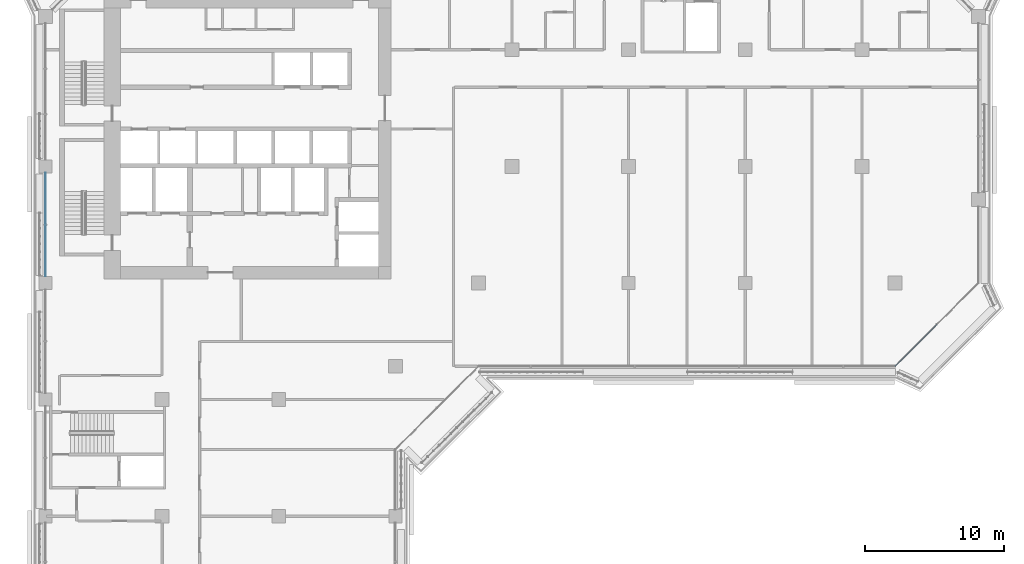
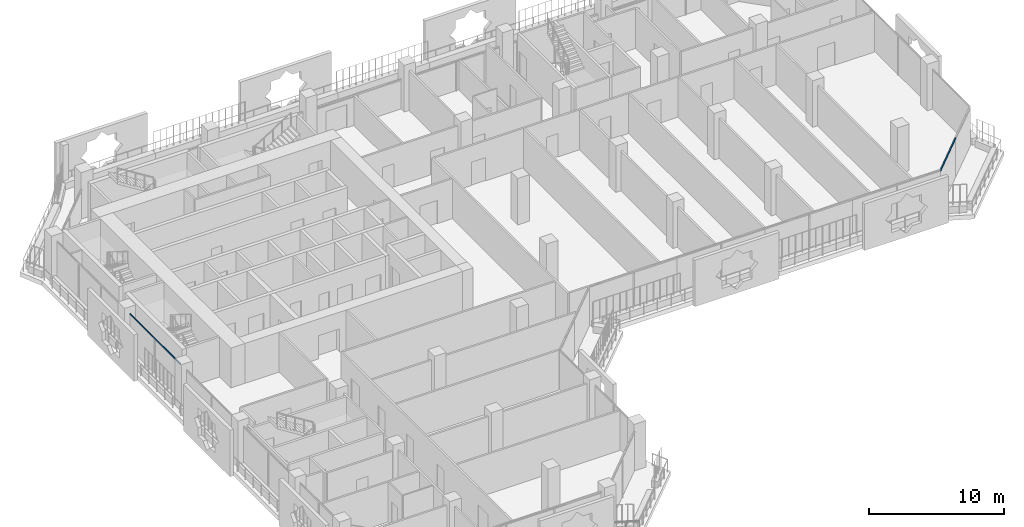
# One storey, part 4 of 22: 2 members, 2 elements without a shape of their own.
"""IFC4 building model written with IfcOpenShell, lengths in metres."""

from ifc_helpers import new_model, si_unit, direction, frame, origin, origin_2d, place, context, subcontext, project, spatial, rectangle, extrude, material, layer, layer_set, material_profile, profile_set, type_object, element, aggregate, save


model = new_model("IFC4")

# Units and contexts
model_context = context("Model", 3, precision=1e-05, world=origin(), true_north=direction((0.0, 1.0)))
body_context = subcontext(model_context, "Body", "Model", "MODEL_VIEW")
ifc_project = project(units=[si_unit("LENGTHUNIT", "METRE"), si_unit("AREAUNIT", "SQUARE_METRE"), si_unit("VOLUMEUNIT", "CUBIC_METRE"), si_unit("PLANEANGLEUNIT", "RADIAN"), si_unit("MASSUNIT", "GRAM", prefix="KILO")], contexts=[model_context])

# Site, building, storey
site_placement = place(None, origin())
site = spatial("IfcSite", under=ifc_project, at=site_placement, CompositionType="ELEMENT")
building_placement = place(site_placement, origin())
building = spatial("IfcBuilding", under=site, at=building_placement, Name="Kawkab Arch Medical Tower", CompositionType="ELEMENT")
storey_placement = place(building_placement, frame((0.0, 0.0, 179.39990234375)))
storey = spatial("IfcBuildingStorey", under=building, at=storey_placement, Name="L41", CompositionType="ELEMENT", Elevation=179.39990234375)

# Curtain wall, member
ifc_material_1 = material(Name="Bronze anodised aluminium curtain wall frame", Category="aluminium")
ifc_layer_1 = layer(ifc_material_1, 0.159912109375)
ifc_layer_set_1 = layer_set([ifc_layer_1], Name="Bronze anodised aluminium curtain wall frame")
curtain_wall_type_1 = type_object("IfcCurtainWallType", Name="CW1 ward curtain wall", PredefinedType="NOTDEFINED", material=ifc_layer_set_1)
placement = place(storey_placement, origin())
curtain_wall_1 = element("IfcCurtainWall", 1, at=placement, inside=storey, type_object=curtain_wall_type_1, Name="CW1 Ward curtain wall R01", PredefinedType="NOTDEFINED")
ifc_material_2 = material(Name="Bronze anodised aluminium curtain wall frame", Category="aluminium")
ifc_material_profile_1 = material_profile(ifc_material_2, rectangle(XDim=0.06005859375, YDim=0.1201171875, at=origin_2d()), Name="AL 60x120")
ifc_profile_set_1 = profile_set([ifc_material_profile_1], Name="Bronze anodised aluminium curtain wall frame")
member_type_1 = type_object("IfcMemberType", Name="CW1 transom 120 x 60", PredefinedType="USERDEFINED", material=ifc_profile_set_1)
member_1_placement = place(storey_placement, frame((0.0, -17.27490234375, 3.5400390625), z_axis=(0.0, -1.0, 0.0), x_axis=(1.0, 0.0, 0.0)))
member_1 = element("IfcMember", 2, at=member_1_placement, type_object=member_type_1, Name="CW1 transom 2", ObjectType="TRANSOM", PredefinedType="USERDEFINED", context=body_context, shape_type="SweptSolid", body=[
    extrude(rectangle(XDim=0.06005859375, YDim=0.1201171875, at=origin_2d()), origin(), (0.0, 0.0, 1.0), 7.4501953125),
])
aggregate(curtain_wall_1, [member_1])

ifc_material_3 = material(Name="Bronze anodised aluminium curtain wall frame", Category="aluminium")
ifc_layer_2 = layer(ifc_material_3, 0.159912109375)
ifc_layer_set_2 = layer_set([ifc_layer_2], Name="Bronze anodised aluminium curtain wall frame")
curtain_wall_type_2 = type_object("IfcCurtainWallType", Name="CW2 chamfer curtain wall", PredefinedType="NOTDEFINED", material=ifc_layer_set_2)
curtain_wall_2 = element("IfcCurtainWall", 3, at=placement, inside=storey, type_object=curtain_wall_type_2, Name="CW2 Chamfer curtain wall R08", PredefinedType="NOTDEFINED")
ifc_material_4 = material(Name="Bronze anodised aluminium curtain wall frame", Category="aluminium")
ifc_material_profile_2 = material_profile(ifc_material_4, rectangle(XDim=0.06005859375, YDim=0.139892578125, at=origin_2d()), Name="AL 60x140")
ifc_profile_set_2 = profile_set([ifc_material_profile_2], Name="Bronze anodised aluminium curtain wall frame")
member_type_2 = type_object("IfcMemberType", Name="CW2 transom 140 x 60", PredefinedType="USERDEFINED", material=ifc_profile_set_2)
member_2_placement = place(storey_placement, frame((61.199951171875, -31.199951171875, 3.530029296875), z_axis=(0.707106781187, 0.707106781187, 0.0), x_axis=(-0.707106781187, 0.707106781187, 0.0)))
member_2 = element("IfcMember", 4, at=member_2_placement, type_object=member_type_2, Name="CW2 transom 1", ObjectType="TRANSOM", PredefinedType="USERDEFINED", context=body_context, shape_type="SweptSolid", body=[
    extrude(rectangle(XDim=0.06005859375, YDim=0.139892578125, at=origin_2d()), origin(), (0.0, 0.0, 1.0), 4.24267578125),
])
aggregate(curtain_wall_2, [member_2])

save(model, "model.ifc")
